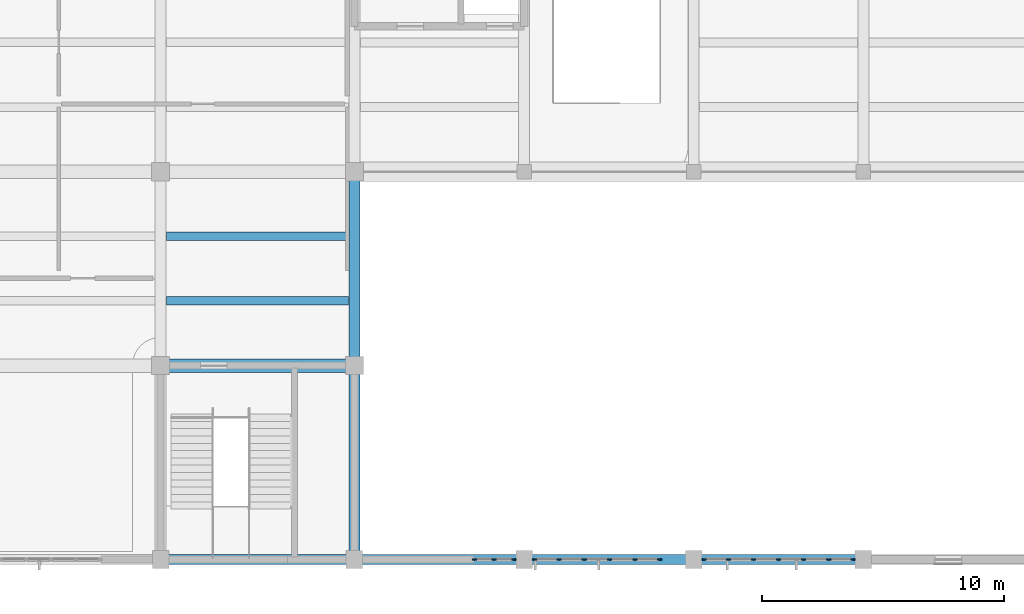
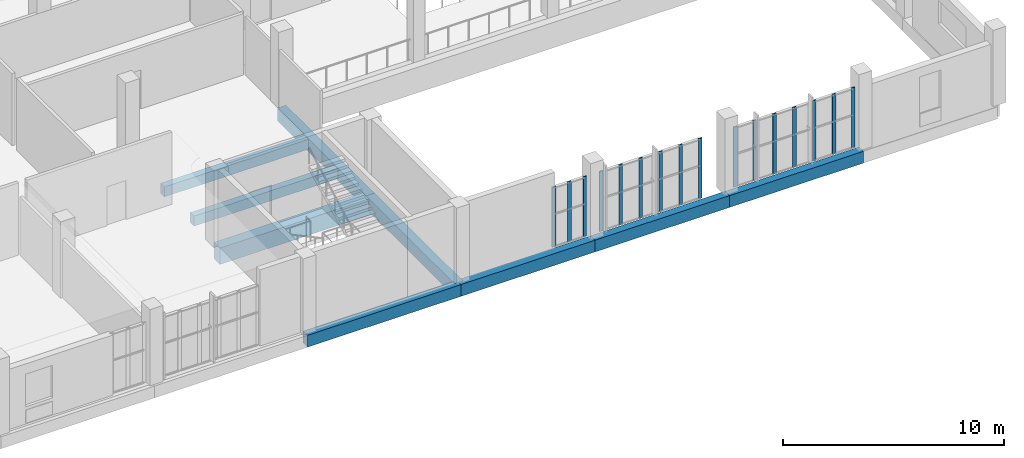
# One storey, part 27 of 85: 16 members, 9 beams, 3 elements without a shape of their own.
"""IFC4 building model written with IfcOpenShell, lengths in metres."""

from ifc_helpers import new_model, si_unit, direction, frame, origin, origin_2d, place, context, subcontext, project, spatial, rectangle, extrude, material, layer, layer_set, material_profile, profile_set, type_object, element, aggregate, save


model = new_model("IFC4")

# Units and contexts
model_context = context("Model", 3, precision=1e-05, world=origin(), true_north=direction((0.0, 1.0)))
body_context = subcontext(model_context, "Body", "Model", "MODEL_VIEW")
ifc_project = project(units=[si_unit("LENGTHUNIT", "METRE"), si_unit("AREAUNIT", "SQUARE_METRE"), si_unit("VOLUMEUNIT", "CUBIC_METRE"), si_unit("PLANEANGLEUNIT", "RADIAN"), si_unit("MASSUNIT", "GRAM", prefix="KILO")], contexts=[model_context])

# Site, building, storey
site_placement = place(None, origin())
site = spatial("IfcSite", under=ifc_project, at=site_placement, CompositionType="ELEMENT")
building_placement = place(site_placement, origin())
building = spatial("IfcBuilding", under=site, at=building_placement, Name="Solvane Community Centre", CompositionType="ELEMENT")
storey_placement = place(building_placement, frame((0.0, 0.0, 5.39990234375)))
storey = spatial("IfcBuildingStorey", under=building, at=storey_placement, Name="L01", CompositionType="ELEMENT", Elevation=5.39990234375)

# Curtain wall, members
ifc_material_1 = material(Name="Anodised bronze aluminium AW-6063 T6", Category="aluminium")
ifc_layer_1 = layer(ifc_material_1, 0.18994140625)
ifc_layer_set_1 = layer_set([ifc_layer_1], Name="Anodised bronze aluminium AW-6063 T6")
curtain_wall_type_1 = type_object("IfcCurtainWallType", Name="Boulevard Bronze Vision Curtain Wall [62x33dm]", PredefinedType="NOTDEFINED", material=ifc_layer_set_1)
curtain_wall_1_placement = place(storey_placement, origin())
curtain_wall_1 = element("IfcCurtainWall", 1, at=curtain_wall_1_placement, inside=storey, type_object=curtain_wall_type_1, Name="Curtain Wall CW-L01-1606_60-073", PredefinedType="NOTDEFINED")
ifc_material_profile_1 = material_profile(ifc_material_1, rectangle(XDim=0.06005859375, YDim=0.18994140625, at=origin_2d()), Name="CW-M 60x190")
ifc_profile_set_1 = profile_set([ifc_material_profile_1], Name="Anodised bronze aluminium AW-6063 T6")
member_type = type_object("IfcMemberType", Name="Boulevard Mullion 60x190", PredefinedType="MULLION", material=ifc_profile_set_1)
member_1_placement = place(storey_placement, frame((160.574951171875, 6.0, 0.0), z_axis=(0.0, 0.0, 1.0), x_axis=(0.0, -1.0, 0.0)))
member_1 = element("IfcMember", 2, at=member_1_placement, type_object=member_type, Name="CW02-62x33 mullion 1", PredefinedType="MULLION", context=body_context, shape_type="SweptSolid", body=[
    extrude(rectangle(XDim=0.06005859375, YDim=0.18994140625, at=origin_2d()), origin(), (0.0, 0.0, 1.0), 3.315185546875),
])
member_2_placement = place(storey_placement, frame((159.570068359375, 6.0, 0.0), z_axis=(0.0, 0.0, 1.0), x_axis=(0.0, -1.0, 0.0)))
member_2 = element("IfcMember", 3, at=member_2_placement, type_object=member_type, Name="CW02-62x33 mullion 2", PredefinedType="MULLION", context=body_context, shape_type="SweptSolid", body=[
    extrude(rectangle(XDim=0.06005859375, YDim=0.18994140625, at=origin_2d()), origin(), (0.0, 0.0, 1.0), 3.315185546875),
])
member_3_placement = place(storey_placement, frame((158.534912109375, 6.0, 0.0), z_axis=(0.0, 0.0, 1.0), x_axis=(0.0, -1.0, 0.0)))
member_3 = element("IfcMember", 4, at=member_3_placement, type_object=member_type, Name="CW02-62x33 mullion 3", PredefinedType="MULLION", context=body_context, shape_type="SweptSolid", body=[
    extrude(rectangle(XDim=0.06005859375, YDim=0.18994140625, at=origin_2d()), origin(), (0.0, 0.0, 1.0), 3.315185546875),
])
member_4_placement = place(storey_placement, frame((157.5, 6.0, 0.0), z_axis=(0.0, 0.0, 1.0), x_axis=(0.0, -1.0, 0.0)))
member_4 = element("IfcMember", 5, at=member_4_placement, type_object=member_type, Name="CW02-62x33 mullion 4", PredefinedType="MULLION", context=body_context, shape_type="SweptSolid", body=[
    extrude(rectangle(XDim=0.06005859375, YDim=0.18994140625, at=origin_2d()), origin(), (0.0, 0.0, 1.0), 3.315185546875),
])
member_5_placement = place(storey_placement, frame((156.465087890625, 6.0, 0.0), z_axis=(0.0, 0.0, 1.0), x_axis=(0.0, -1.0, 0.0)))
member_5 = element("IfcMember", 6, at=member_5_placement, type_object=member_type, Name="CW02-62x33 mullion 5", PredefinedType="MULLION", context=body_context, shape_type="SweptSolid", body=[
    extrude(rectangle(XDim=0.06005859375, YDim=0.18994140625, at=origin_2d()), origin(), (0.0, 0.0, 1.0), 3.315185546875),
])
member_6_placement = place(storey_placement, frame((155.429931640625, 6.0, 0.0), z_axis=(0.0, 0.0, 1.0), x_axis=(0.0, -1.0, 0.0)))
member_6 = element("IfcMember", 7, at=member_6_placement, type_object=member_type, Name="CW02-62x33 mullion 6", PredefinedType="MULLION", context=body_context, shape_type="SweptSolid", body=[
    extrude(rectangle(XDim=0.06005859375, YDim=0.18994140625, at=origin_2d()), origin(), (0.0, 0.0, 1.0), 3.315185546875),
])
member_7_placement = place(storey_placement, frame((154.425048828125, 6.0, 0.0), z_axis=(0.0, 0.0, 1.0), x_axis=(0.0, -1.0, 0.0)))
member_7 = element("IfcMember", 8, at=member_7_placement, type_object=member_type, Name="CW02-62x33 mullion 7", PredefinedType="MULLION", context=body_context, shape_type="SweptSolid", body=[
    extrude(rectangle(XDim=0.06005859375, YDim=0.18994140625, at=origin_2d()), origin(), (0.0, 0.0, 1.0), 3.315185546875),
])
aggregate(curtain_wall_1, [member_1, member_2, member_3, member_4, member_5, member_6, member_7])

ifc_layer_2 = layer(ifc_material_1, 0.18994140625)
ifc_layer_set_2 = layer_set([ifc_layer_2], Name="Anodised bronze aluminium AW-6063 T6")
curtain_wall_type_2 = type_object("IfcCurtainWallType", Name="Boulevard Bronze Vision Curtain Wall [52x33dm]", PredefinedType="NOTDEFINED", material=ifc_layer_set_2)
curtain_wall_2_placement = place(storey_placement, origin())
curtain_wall_2 = element("IfcCurtainWall", 9, at=curtain_wall_2_placement, inside=storey, type_object=curtain_wall_type_2, Name="Curtain Wall CW-L01-1526_60-074", PredefinedType="NOTDEFINED")
member_8_placement = place(storey_placement, frame((152.58544921875, 6.0, 0.0), z_axis=(0.0, 0.0, 1.0), x_axis=(0.0, -1.0, 0.0)))
member_8 = element("IfcMember", 10, at=member_8_placement, type_object=member_type, Name="CW02-52x33 mullion 1", PredefinedType="MULLION", context=body_context, shape_type="SweptSolid", body=[
    extrude(rectangle(XDim=0.06005859375, YDim=0.18994140625, at=origin_2d()), origin(), (0.0, 0.0, 1.0), 3.315185546875),
])
member_9_placement = place(storey_placement, frame((151.5712890625, 6.0, 0.0), z_axis=(0.0, 0.0, 1.0), x_axis=(0.0, -1.0, 0.0)))
member_9 = element("IfcMember", 11, at=member_9_placement, type_object=member_type, Name="CW02-52x33 mullion 2", PredefinedType="MULLION", context=body_context, shape_type="SweptSolid", body=[
    extrude(rectangle(XDim=0.06005859375, YDim=0.18994140625, at=origin_2d()), origin(), (0.0, 0.0, 1.0), 3.315185546875),
])
member_10_placement = place(storey_placement, frame((150.52734375, 6.0, 0.0), z_axis=(0.0, 0.0, 1.0), x_axis=(0.0, -1.0, 0.0)))
member_10 = element("IfcMember", 12, at=member_10_placement, type_object=member_type, Name="CW02-52x33 mullion 3", PredefinedType="MULLION", context=body_context, shape_type="SweptSolid", body=[
    extrude(rectangle(XDim=0.06005859375, YDim=0.18994140625, at=origin_2d()), origin(), (0.0, 0.0, 1.0), 3.315185546875),
])
member_11_placement = place(storey_placement, frame((149.483154296875, 6.0, 0.0), z_axis=(0.0, 0.0, 1.0), x_axis=(0.0, -1.0, 0.0)))
member_11 = element("IfcMember", 13, at=member_11_placement, type_object=member_type, Name="CW02-52x33 mullion 4", PredefinedType="MULLION", context=body_context, shape_type="SweptSolid", body=[
    extrude(rectangle(XDim=0.06005859375, YDim=0.18994140625, at=origin_2d()), origin(), (0.0, 0.0, 1.0), 3.315185546875),
])
member_12_placement = place(storey_placement, frame((148.43896484375, 6.0, 0.0), z_axis=(0.0, 0.0, 1.0), x_axis=(0.0, -1.0, 0.0)))
member_12 = element("IfcMember", 14, at=member_12_placement, type_object=member_type, Name="CW02-52x33 mullion 5", PredefinedType="MULLION", context=body_context, shape_type="SweptSolid", body=[
    extrude(rectangle(XDim=0.06005859375, YDim=0.18994140625, at=origin_2d()), origin(), (0.0, 0.0, 1.0), 3.315185546875),
])
member_13_placement = place(storey_placement, frame((147.425048828125, 6.0, 0.0), z_axis=(0.0, 0.0, 1.0), x_axis=(0.0, -1.0, 0.0)))
member_13 = element("IfcMember", 15, at=member_13_placement, type_object=member_type, Name="CW02-52x33 mullion 6", PredefinedType="MULLION", context=body_context, shape_type="SweptSolid", body=[
    extrude(rectangle(XDim=0.06005859375, YDim=0.18994140625, at=origin_2d()), origin(), (0.0, 0.0, 1.0), 3.315185546875),
])
aggregate(curtain_wall_2, [member_8, member_9, member_10, member_11, member_12, member_13])

ifc_layer_3 = layer(ifc_material_1, 0.18994140625)
ifc_layer_set_3 = layer_set([ifc_layer_3], Name="Anodised bronze aluminium AW-6063 T6")
curtain_wall_type_3 = type_object("IfcCurtainWallType", Name="Boulevard Bronze Vision Curtain Wall [17x33dm]", PredefinedType="NOTDEFINED", material=ifc_layer_set_3)
curtain_wall_3_placement = place(storey_placement, origin())
curtain_wall_3 = element("IfcCurtainWall", 16, at=curtain_wall_3_placement, inside=storey, type_object=curtain_wall_type_3, Name="Curtain Wall CW-L01-1466_60-075", PredefinedType="NOTDEFINED")
member_14_placement = place(storey_placement, frame((146.574951171875, 6.0, 0.0), z_axis=(0.0, 0.0, 1.0), x_axis=(0.0, -1.0, 0.0)))
member_14 = element("IfcMember", 17, at=member_14_placement, type_object=member_type, Name="CW02-17x33 mullion 1", PredefinedType="MULLION", context=body_context, shape_type="SweptSolid", body=[
    extrude(rectangle(XDim=0.06005859375, YDim=0.18994140625, at=origin_2d()), origin(), (0.0, 0.0, 1.0), 3.315185546875),
])
member_15_placement = place(storey_placement, frame((145.76416015625, 6.0, 0.0), z_axis=(0.0, 0.0, 1.0), x_axis=(0.0, -1.0, 0.0)))
member_15 = element("IfcMember", 18, at=member_15_placement, type_object=member_type, Name="CW02-17x33 mullion 2", PredefinedType="MULLION", context=body_context, shape_type="SweptSolid", body=[
    extrude(rectangle(XDim=0.06005859375, YDim=0.18994140625, at=origin_2d()), origin(), (0.0, 0.0, 1.0), 3.315185546875),
])
member_16_placement = place(storey_placement, frame((144.953125, 6.0, 0.0), z_axis=(0.0, 0.0, 1.0), x_axis=(0.0, -1.0, 0.0)))
member_16 = element("IfcMember", 19, at=member_16_placement, type_object=member_type, Name="CW02-17x33 mullion 3", PredefinedType="MULLION", context=body_context, shape_type="SweptSolid", body=[
    extrude(rectangle(XDim=0.06005859375, YDim=0.18994140625, at=origin_2d()), origin(), (0.0, 0.0, 1.0), 3.315185546875),
])
aggregate(curtain_wall_3, [member_14, member_15, member_16])

# Beams
ifc_material_2 = material(Name="Concrete C35/45", Category="concrete")
ifc_material_profile_2 = material_profile(ifc_material_2, rectangle(XDim=0.449951171875, YDim=0.699951171875, at=origin_2d()), Name="RC 450x700")
ifc_profile_set_2 = profile_set([ifc_material_profile_2], Name="Concrete C35/45")
beam_type_1 = type_object("IfcBeamType", Name="RC Floor Beam 450x700", PredefinedType="BEAM", material=ifc_profile_set_2)
for number, where, z_axis, x_axis, name in (
    (20, (140.0, 6.0, -0.58984375), (0.0, 1.0, 0.0), (-1.0, 0.0, 0.0), "Beam BM-L01-1400_60-1400_140"),
    (21, (140.0, 14.0, -0.58984375), (0.0, 1.0, 0.0), (-1.0, 0.0, 0.0), "Beam BM-L01-1400_140-1400_220"),
):
    element("IfcBeam", number, at=place(storey_placement, frame(where, z_axis=z_axis, x_axis=x_axis)), inside=storey, type_object=beam_type_1, Name=name, PredefinedType="BEAM", context=body_context, shape_type="SweptSolid", body=[
        extrude(rectangle(XDim=0.449951171875, YDim=0.699951171875, at=origin_2d()), origin(), (0.0, 0.0, 1.0), 8.0),
    ])
ifc_material_profile_3 = material_profile(ifc_material_2, rectangle(XDim=0.550048828125, YDim=0.89990234375, at=origin_2d()), Name="RC 550x900")
ifc_profile_set_3 = profile_set([ifc_material_profile_3], Name="Concrete C35/45")
beam_type_2 = type_object("IfcBeamType", Name="RC Heavy Girder 550x900", PredefinedType="USERDEFINED", material=ifc_profile_set_3)
beam_1_placement = place(storey_placement, frame((132.0, 14.0, -0.68994140625), z_axis=(1.0, 0.0, 0.0), x_axis=(0.0, 1.0, 0.0)))
element("IfcBeam", 22, at=beam_1_placement, inside=storey, type_object=beam_type_2, Name="Beam BM-L01-1320_140-1400_140", ObjectType="GIRDER", PredefinedType="USERDEFINED", context=body_context, shape_type="SweptSolid", body=[
    extrude(rectangle(XDim=0.550048828125, YDim=0.89990234375, at=origin_2d()), origin(), (0.0, 0.0, 1.0), 8.0),
])
ifc_material_profile_4 = material_profile(ifc_material_2, rectangle(XDim=0.35009765625, YDim=0.550048828125, at=origin_2d()), Name="RC 350x550")
ifc_profile_set_4 = profile_set([ifc_material_profile_4], Name="Concrete C35/45")
beam_type_3 = type_object("IfcBeamType", Name="RC Secondary Joist 350x550", PredefinedType="JOIST", material=ifc_profile_set_4)
for number, where, z_axis, x_axis, name in (
    (23, (132.239990234375, 16.666748046875, -0.514892578125), (1.0, 0.0, 0.0), (0.0, 1.0, 0.0), "Beam BM-L01-1322_167-1398_167"),
    (24, (132.239990234375, 19.333251953125, -0.514892578125), (1.0, 0.0, 0.0), (0.0, 1.0, 0.0), "Beam BM-L01-1322_193-1398_193"),
):
    element("IfcBeam", number, at=place(storey_placement, frame(where, z_axis=z_axis, x_axis=x_axis)), inside=storey, type_object=beam_type_3, Name=name, PredefinedType="JOIST", context=body_context, shape_type="SweptSolid", body=[
        extrude(rectangle(XDim=0.35009765625, YDim=0.550048828125, at=origin_2d()), origin(), (0.0, 0.0, 1.0), 7.52001953125),
    ])
ifc_material_profile_5 = material_profile(ifc_material_2, rectangle(XDim=0.39990234375, YDim=0.64990234375, at=origin_2d()), Name="RC 400x650")
ifc_profile_set_5 = profile_set([ifc_material_profile_5], Name="Concrete C35/45")
beam_type_4 = type_object("IfcBeamType", Name="RC Spandrel Edge Beam 400x650", PredefinedType="SPANDREL", material=ifc_profile_set_5)
beam_2_placement = place(storey_placement, frame((132.0, 6.0, -0.56494140625), z_axis=(1.0, 0.0, 0.0), x_axis=(0.0, 1.0, 0.0)))
element("IfcBeam", 25, at=beam_2_placement, inside=storey, type_object=beam_type_4, Name="Beam BM-L01-1320_60-1400_60", PredefinedType="SPANDREL", context=body_context, shape_type="SweptSolid", body=[
    extrude(rectangle(XDim=0.39990234375, YDim=0.64990234375, at=origin_2d()), origin(), (0.0, 0.0, 1.0), 8.0),
])
for number, where, z_axis, x_axis, name in (
    (26, (140.0, 6.0, -0.56494140625), (1.0, 0.0, 0.0), (0.0, 1.0, 0.0), "Beam BM-L01-1400_60-1470_60"),
    (27, (147.0, 6.0, -0.56494140625), (1.0, 0.0, 0.0), (0.0, 1.0, 0.0), "Beam BM-L01-1470_60-1540_60"),
    (28, (154.0, 6.0, -0.56494140625), (1.0, 0.0, 0.0), (0.0, 1.0, 0.0), "Beam BM-L01-1540_60-1610_60"),
):
    element("IfcBeam", number, at=place(storey_placement, frame(where, z_axis=z_axis, x_axis=x_axis)), inside=storey, type_object=beam_type_4, Name=name, PredefinedType="SPANDREL", context=body_context, shape_type="SweptSolid", body=[
        extrude(rectangle(XDim=0.39990234375, YDim=0.64990234375, at=origin_2d()), origin(), (0.0, 0.0, 1.0), 7.0),
    ])

save(model, "model.ifc")
